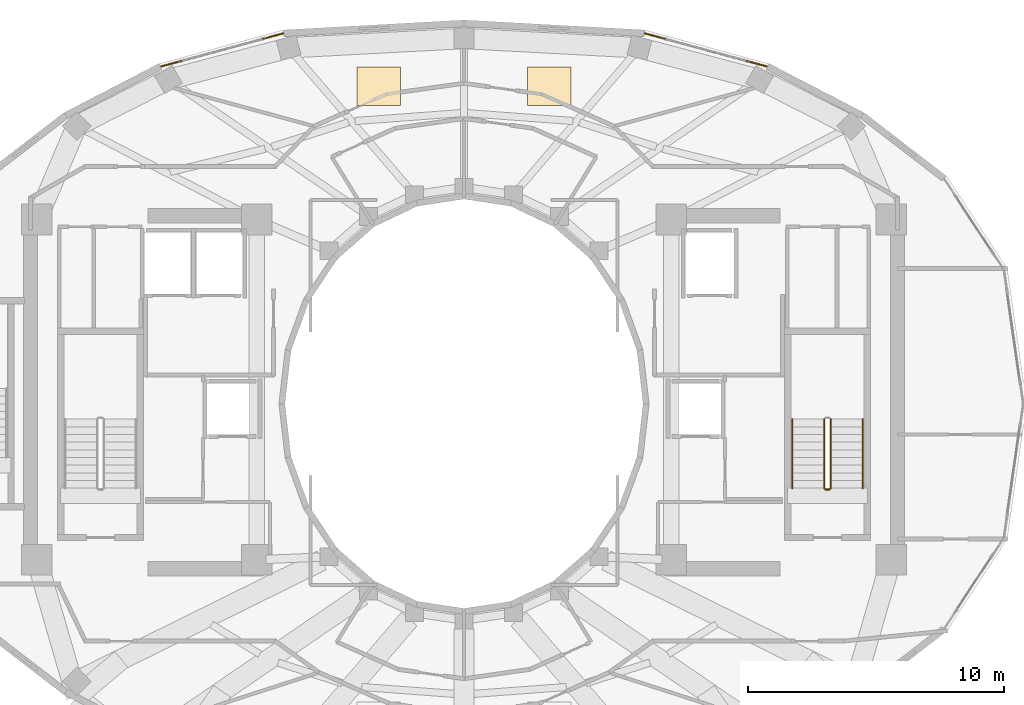
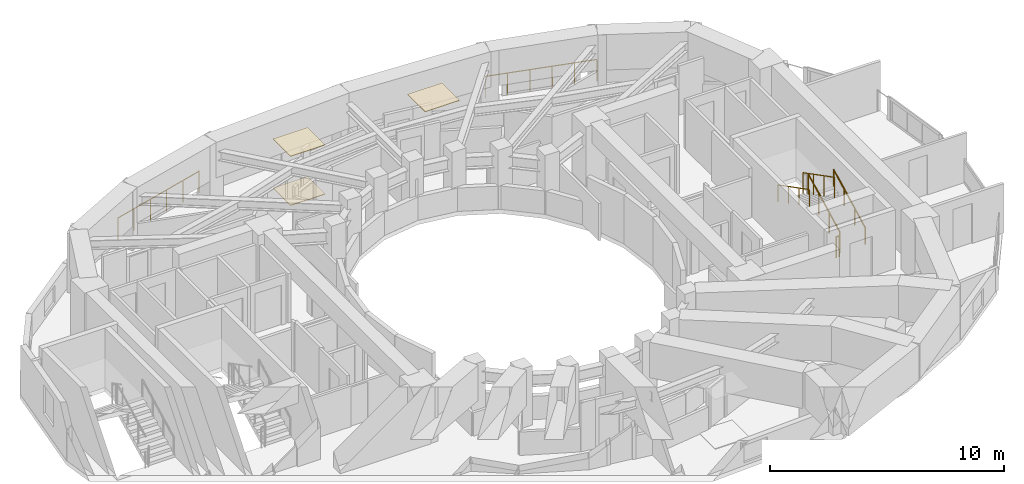
# One storey, part 18 of 19: 7 railings, 3 coverings.
"""IFC4 building model written with IfcOpenShell, lengths in metres."""

from ifc_helpers import new_model, si_unit, direction, frame, origin, origin_2d, place, context, subcontext, project, spatial, polyline, circle, outline, extrude, material, layer, layer_set, type_object, element, save


model = new_model("IFC4")

# Units and contexts
model_context = context("Model", 3, precision=1e-05, world=origin(), true_north=direction((0.0, 1.0)))
body_context = subcontext(model_context, "Body", "Model", "MODEL_VIEW")
ifc_project = project(units=[si_unit("LENGTHUNIT", "METRE"), si_unit("AREAUNIT", "SQUARE_METRE"), si_unit("VOLUMEUNIT", "CUBIC_METRE"), si_unit("PLANEANGLEUNIT", "RADIAN"), si_unit("MASSUNIT", "GRAM", prefix="KILO")], contexts=[model_context])

# Site, building, storey
site_placement = place(None, origin())
site = spatial("IfcSite", under=ifc_project, at=site_placement, CompositionType="ELEMENT")
building_placement = place(site_placement, origin())
building = spatial("IfcBuilding", under=site, at=building_placement, Name="Solvane Sanctuary Tower", CompositionType="ELEMENT")
storey_placement = place(building_placement, frame((0.0, 0.0, 207.800048828125)))
storey = spatial("IfcBuildingStorey", under=building, at=storey_placement, Name="L63", CompositionType="ELEMENT", Elevation=207.800048828125)

# Coverings
ifc_material_1 = material(Name="Acoustic Gypsum Partition Board")
ifc_layer_1 = layer(ifc_material_1, 0.02490234375, Name="Acoustic Gypsum Partition Board")
ifc_layer_set_1 = layer_set([ifc_layer_1], Name="Acoustic Gypsum Partition Board")
covering_type_1 = type_object("IfcCoveringType", Name="Covering CLG-ACOUST", PredefinedType="CEILING", material=ifc_layer_set_1)
covering_1_placement = place(storey_placement, frame((0.0, 0.0, 2.570068359375)))
element("IfcCovering", 1, at=covering_1_placement, inside=storey, type_object=covering_type_1, Name="L63 Unit Acoustic Ceiling Panel 1", PredefinedType="CEILING", context=body_context, shape_type="SweptSolid", body=[
    extrude(outline(polyline([(34.47607421875, 34.662109375), (36.176025390625, 34.662109375), (36.176025390625, 36.162109375), (34.47607421875, 36.162109375), (34.47607421875, 34.662109375)])), origin(), (0.0, 0.0, 1.0), 0.02978515625),
])
covering_2_placement = place(storey_placement, frame((0.0, 0.0, 2.570068359375)))
element("IfcCovering", 2, at=covering_2_placement, inside=storey, type_object=covering_type_1, Name="L63 Unit Acoustic Ceiling Panel 2", PredefinedType="CEILING", context=body_context, shape_type="SweptSolid", body=[
    extrude(outline(polyline([(27.823974609375, 34.662109375), (29.52392578125, 34.662109375), (29.52392578125, 36.162109375), (27.823974609375, 36.162109375), (27.823974609375, 34.662109375)])), origin(), (0.0, 0.0, 1.0), 0.02978515625),
])
ifc_material_2 = material(Name="Ceramic Tile Finish")
ifc_layer_2 = layer(ifc_material_2, 0.030029296875, Name="Ceramic Tile Finish")
ifc_layer_set_2 = layer_set([ifc_layer_2], Name="Ceramic Tile Finish")
covering_type_2 = type_object("IfcCoveringType", Name="Covering FLR-TERRAZZO", PredefinedType="FLOORING", material=ifc_layer_set_2)
covering_3_placement = place(storey_placement, origin())
element("IfcCovering", 3, at=covering_3_placement, inside=storey, type_object=covering_type_2, Name="L63 Unit Terrazzo Inlay 2", PredefinedType="FLOORING", context=body_context, shape_type="SweptSolid", body=[
    extrude(outline(polyline([(27.823974609375, 34.662109375), (29.52392578125, 34.662109375), (29.52392578125, 36.162109375), (27.823974609375, 36.162109375), (27.823974609375, 34.662109375)])), origin(), (0.0, 0.0, 1.0), 0.034912109375),
])

# Railings
ifc_material_3 = material(Name="Architectural Stainless Steel 316", Category="steel")
railing_type_1 = type_object("IfcRailingType", Name="Railing GR-BALC-1150", PredefinedType="BALUSTRADE", material=ifc_material_3)
railing_1_placement = place(storey_placement, frame((43.841064453125, 36.184814453125, 0.0)))
element("IfcRailing", 4, at=railing_1_placement, inside=storey, type_object=railing_type_1, Name="L63 Curtain-Wall Perimeter Sill Guard 04", PredefinedType="BALUSTRADE", context=body_context, shape_type="SweptSolid", body=[
    extrude(circle(Radius=0.02392578125, at=origin_2d()), frame((0.0, 0.0, 1.1259765625), z_axis=(-0.965207148119, 0.261486445574, 0.0), x_axis=(-0.261486445574, -0.965207148119, 0.0)), (0.0, 0.0, 1.0), 4.94091796875),
    extrude(circle(Radius=0.02099609375, at=origin_2d()), origin(), (0.0, 0.0, 1.0), 1.101806640625),
    extrude(circle(Radius=0.02099609375, at=origin_2d()), frame((-0.953857421875, 0.25830078125, 0.0)), (0.0, 0.0, 1.0), 1.101806640625),
    extrude(circle(Radius=0.02099609375, at=origin_2d()), frame((-1.90771484375, 0.516845703125, 0.0)), (0.0, 0.0, 1.0), 1.101806640625),
    extrude(circle(Radius=0.02099609375, at=origin_2d()), frame((-2.861328125, 0.775146484375, 0.0)), (0.0, 0.0, 1.0), 1.101806640625),
    extrude(circle(Radius=0.02099609375, at=origin_2d()), frame((-3.815185546875, 1.03369140625, 0.0)), (0.0, 0.0, 1.0), 1.101806640625),
    extrude(circle(Radius=0.02099609375, at=origin_2d()), frame((-4.76904296875, 1.2919921875, 0.0)), (0.0, 0.0, 1.0), 1.101806640625),
])
railing_2_placement = place(storey_placement, frame((24.927978515625, 37.476806640625, 0.0)))
element("IfcRailing", 5, at=railing_2_placement, inside=storey, type_object=railing_type_1, Name="L63 Curtain-Wall Perimeter Sill Guard 07", PredefinedType="BALUSTRADE", context=body_context, shape_type="SweptSolid", body=[
    extrude(circle(Radius=0.02392578125, at=origin_2d()), frame((0.0, 0.0, 1.1259765625), z_axis=(-0.965207148119, -0.261486445574, 0.0), x_axis=(0.261486445574, -0.965207148119, 0.0)), (0.0, 0.0, 1.0), 4.94091796875),
    extrude(circle(Radius=0.02099609375, at=origin_2d()), origin(), (0.0, 0.0, 1.0), 1.101806640625),
    extrude(circle(Radius=0.02099609375, at=origin_2d()), frame((-0.953857421875, -0.25830078125, 0.0)), (0.0, 0.0, 1.0), 1.101806640625),
    extrude(circle(Radius=0.02099609375, at=origin_2d()), frame((-1.90771484375, -0.516845703125, 0.0)), (0.0, 0.0, 1.0), 1.101806640625),
    extrude(circle(Radius=0.02099609375, at=origin_2d()), frame((-2.861328125, -0.775146484375, 0.0)), (0.0, 0.0, 1.0), 1.101806640625),
    extrude(circle(Radius=0.02099609375, at=origin_2d()), frame((-3.815185546875, -1.03369140625, 0.0)), (0.0, 0.0, 1.0), 1.101806640625),
    extrude(circle(Radius=0.02099609375, at=origin_2d()), frame((-4.76904296875, -1.2919921875, 0.0)), (0.0, 0.0, 1.0), 1.101806640625),
])
railing_3_placement = place(storey_placement, frame((46.340087890625, 19.699951171875, 0.155029296875)))
element("IfcRailing", 6, at=railing_3_placement, inside=storey, type_object=railing_type_1, Name="L63 ST-2 stair guard 1", PredefinedType="BALUSTRADE", context=body_context, shape_type="SweptSolid", body=[
    extrude(circle(Radius=0.02392578125, at=origin_2d()), frame((0.0, 0.0, 1.076171875), z_axis=(0.0, 0.888419900624, 0.459031676658), x_axis=(-1.0, 0.0, 0.0)), (0.0, 0.0, 1.0), 3.0390625),
    extrude(circle(Radius=0.02099609375, at=origin_2d()), origin(), (0.0, 0.0, 1.0), 1.052001953125),
    extrude(circle(Radius=0.02099609375, at=origin_2d()), frame((0.0, 0.89990234375, 0.465087890625)), (0.0, 0.0, 1.0), 1.052001953125),
    extrude(circle(Radius=0.02099609375, at=origin_2d()), frame((0.0, 1.800048828125, 0.929931640625)), (0.0, 0.0, 1.0), 1.052001953125),
    extrude(circle(Radius=0.02099609375, at=origin_2d()), frame((0.0, 2.699951171875, 1.39501953125)), (0.0, 0.0, 1.0), 1.052001953125),
])
railing_4_placement = place(storey_placement, frame((46.080078125, 22.39990234375, 1.704833984375)))
element("IfcRailing", 7, at=railing_4_placement, inside=storey, type_object=railing_type_1, Name="L63 ST-2 stair guard 3", PredefinedType="BALUSTRADE", context=body_context, shape_type="SweptSolid", body=[
    extrude(circle(Radius=0.02392578125, at=origin_2d()), frame((0.0, 0.0, 1.076171875), z_axis=(0.0, -0.888419900624, 0.459031676658), x_axis=(1.0, 0.0, 0.0)), (0.0, 0.0, 1.0), 3.0390625),
    extrude(circle(Radius=0.02099609375, at=origin_2d()), origin(), (0.0, 0.0, 1.0), 1.052001953125),
    extrude(circle(Radius=0.02099609375, at=origin_2d()), frame((0.0, -0.89990234375, 0.465087890625)), (0.0, 0.0, 1.0), 1.052001953125),
    extrude(circle(Radius=0.02099609375, at=origin_2d()), frame((0.0, -1.800048828125, 0.929931640625)), (0.0, 0.0, 1.0), 1.052001953125),
    extrude(circle(Radius=0.02099609375, at=origin_2d()), frame((0.0, -2.699951171875, 1.39501953125)), (0.0, 0.0, 1.0), 1.052001953125),
])
railing_5_placement = place(storey_placement, frame((46.2900390625, 19.64990234375, 0.0)))
element("IfcRailing", 8, at=railing_5_placement, inside=storey, type_object=railing_type_1, Name="L63 ST-2 stair guard 4", PredefinedType="BALUSTRADE", context=body_context, shape_type="SweptSolid", body=[
    extrude(circle(Radius=0.02392578125, at=origin_2d()), frame((0.0, 0.0, 1.076171875), z_axis=(-1.0, 0.0, 0.0), x_axis=(0.0, -1.0, 0.0)), (0.0, 0.0, 1.0), 0.16015625),
    extrude(circle(Radius=0.02099609375, at=origin_2d()), origin(), (0.0, 0.0, 1.0), 1.052001953125),
    extrude(circle(Radius=0.02099609375, at=origin_2d()), frame((-0.16015625, 0.0, 0.0)), (0.0, 0.0, 1.0), 1.052001953125),
])
railing_type_2 = type_object("IfcRailingType", Name="Railing HR-STAIR-920", PredefinedType="HANDRAIL", material=ifc_material_3)
railing_6_placement = place(storey_placement, frame((47.590087890625, 19.699951171875, 0.155029296875)))
element("IfcRailing", 9, at=railing_6_placement, inside=storey, type_object=railing_type_2, Name="L63 ST-2 stair handrail 1", PredefinedType="HANDRAIL", context=body_context, shape_type="SweptSolid", body=[
    extrude(circle(Radius=0.02392578125, at=origin_2d()), frame((0.0, 0.0, 0.8759765625), z_axis=(0.0, 0.888419900624, 0.459031676658), x_axis=(-1.0, 0.0, 0.0)), (0.0, 0.0, 1.0), 3.0390625),
    extrude(circle(Radius=0.02099609375, at=origin_2d()), origin(), (0.0, 0.0, 1.0), 0.851806640625),
    extrude(circle(Radius=0.02099609375, at=origin_2d()), frame((0.0, 0.89990234375, 0.465087890625)), (0.0, 0.0, 1.0), 0.851806640625),
    extrude(circle(Radius=0.02099609375, at=origin_2d()), frame((0.0, 1.800048828125, 0.929931640625)), (0.0, 0.0, 1.0), 0.851806640625),
    extrude(circle(Radius=0.02099609375, at=origin_2d()), frame((0.0, 2.699951171875, 1.39501953125)), (0.0, 0.0, 1.0), 0.851806640625),
])
railing_7_placement = place(storey_placement, frame((44.830078125, 22.39990234375, 1.704833984375)))
element("IfcRailing", 10, at=railing_7_placement, inside=storey, type_object=railing_type_2, Name="L63 ST-2 stair handrail 2", PredefinedType="HANDRAIL", context=body_context, shape_type="SweptSolid", body=[
    extrude(circle(Radius=0.02392578125, at=origin_2d()), frame((0.0, 0.0, 0.8759765625), z_axis=(0.0, -0.888419900624, 0.459031676658), x_axis=(1.0, 0.0, 0.0)), (0.0, 0.0, 1.0), 3.0390625),
    extrude(circle(Radius=0.02099609375, at=origin_2d()), origin(), (0.0, 0.0, 1.0), 0.851806640625),
    extrude(circle(Radius=0.02099609375, at=origin_2d()), frame((0.0, -0.89990234375, 0.465087890625)), (0.0, 0.0, 1.0), 0.851806640625),
    extrude(circle(Radius=0.02099609375, at=origin_2d()), frame((0.0, -1.800048828125, 0.929931640625)), (0.0, 0.0, 1.0), 0.851806640625),
    extrude(circle(Radius=0.02099609375, at=origin_2d()), frame((0.0, -2.699951171875, 1.39501953125)), (0.0, 0.0, 1.0), 0.851806640625),
])

save(model, "model.ifc")
